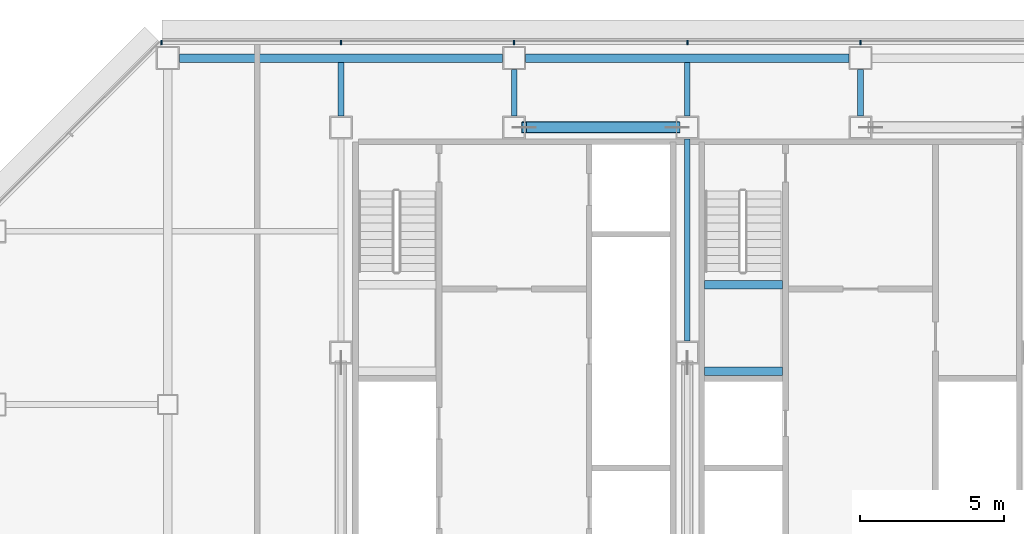
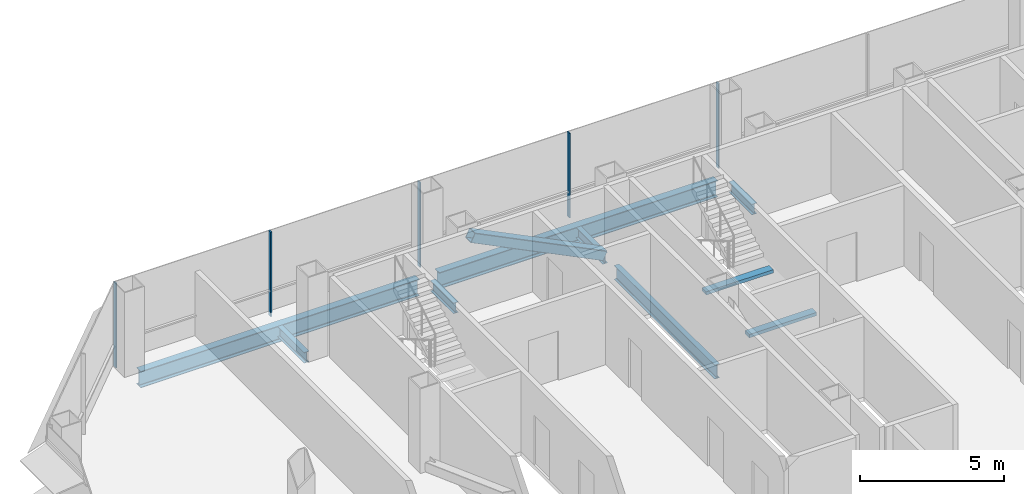
# One storey, part 12 of 25: 9 beams, 6 members, 1 element without a shape of its own.
"""IFC4 building model written with IfcOpenShell, lengths in metres."""

from ifc_helpers import new_model, si_unit, direction, frame, origin, origin_2d, place, context, subcontext, project, spatial, rectangle, hollow_rectangle, i_section, extrude, material, material_profile, profile_set, type_object, element, aggregate, save


model = new_model("IFC4")

# Units and contexts
model_context = context("Model", 3, precision=1e-05, world=origin(), true_north=direction((0.0, 1.0)))
body_context = subcontext(model_context, "Body", "Model", "MODEL_VIEW")
ifc_project = project(units=[si_unit("LENGTHUNIT", "METRE"), si_unit("AREAUNIT", "SQUARE_METRE"), si_unit("VOLUMEUNIT", "CUBIC_METRE"), si_unit("PLANEANGLEUNIT", "RADIAN"), si_unit("MASSUNIT", "GRAM", prefix="KILO")], contexts=[model_context])

# Site, building, storey
site_placement = place(None, origin())
site = spatial("IfcSite", under=ifc_project, at=site_placement, CompositionType="ELEMENT")
building_placement = place(site_placement, origin())
building = spatial("IfcBuilding", under=site, at=building_placement, Name="Sorahane Residences", CompositionType="ELEMENT")
storey_placement = place(building_placement, frame((0.0, 0.0, 107.0)))
storey = spatial("IfcBuildingStorey", under=building, at=storey_placement, Name="L23", CompositionType="ELEMENT", Elevation=107.0)

# Member
ifc_material_1 = material(Name="Steel Q355B", Category="steel")
ifc_material_profile_1 = material_profile(ifc_material_1, hollow_rectangle(XDim=0.39990234375, YDim=0.39990234375, WallThickness=0.02001953125, InnerFilletRadius=0.010009765625, OuterFilletRadius=0.030029296875, at=origin_2d()), Name="RHS 400x400x20")
ifc_profile_set_1 = profile_set([ifc_material_profile_1], Name="Steel Q355B")
member_type_1 = type_object("IfcMemberType", Name="Core brace RHS 400x400x20 Q355B", PredefinedType="BRACE", material=ifc_profile_set_1)
member_1_placement = place(storey_placement, frame((17.653076171875, 45.60009765625, 0.173828125), z_axis=(-0.896480070819, 0.0, 0.443084058192), x_axis=(0.0, -1.0, 0.0)))
element("IfcMember", 1, at=member_1_placement, inside=storey, type_object=member_type_1, Name="Core brace L23 y45.6-2", PredefinedType="BRACE", context=body_context, shape_type="SweptSolid", body=[
    extrude(hollow_rectangle(XDim=0.39990234375, YDim=0.39990234375, WallThickness=0.02001953125, InnerFilletRadius=0.010009765625, OuterFilletRadius=0.030029296875, at=origin_2d()), origin(), (0.0, 0.0, 1.0), 5.9189453125),
])

# Curtain wall, members
ifc_material_2 = material(Name="Dark low-e glass and black anodised aluminium", Category="aluminium")
curtain_wall_type = type_object("IfcCurtainWallType", Name="Curtain wall CW-1 Typical unitised wall", PredefinedType="NOTDEFINED", material=ifc_material_2)
curtain_wall_placement = place(storey_placement, origin())
curtain_wall = element("IfcCurtainWall", 2, at=curtain_wall_placement, inside=storey, type_object=curtain_wall_type, Name="CW-1 curtain wall L23 N1", PredefinedType="NOTDEFINED")
ifc_material_3 = material(Name="Black anodised aluminium", Category="aluminium")
ifc_material_profile_2 = material_profile(ifc_material_3, rectangle(XDim=0.159912109375, YDim=0.050048828125, at=origin_2d()), Name="Curtain wall mullion CW-1 black anodised aluminium 50x160")
ifc_profile_set_2 = profile_set([ifc_material_profile_2], Name="Black anodised aluminium")
member_type_2 = type_object("IfcMemberType", Name="Curtain wall mullion CW-1 black anodised aluminium 50x160", PredefinedType="MULLION", material=ifc_profile_set_2)
member_2_placement = place(storey_placement, frame((24.0, 48.5400390625, -0.179931640625), z_axis=(0.0, 0.0, 1.0), x_axis=(0.0, 1.0, 0.0)))
member_2 = element("IfcMember", 3, at=member_2_placement, type_object=member_type_2, Name="CW-1 mullion L23 N1.6", PredefinedType="MULLION", context=body_context, shape_type="SweptSolid", body=[
    extrude(rectangle(XDim=0.159912109375, YDim=0.050048828125, at=origin_2d()), origin(), (0.0, 0.0, 1.0), 3.599853515625),
])
member_3_placement = place(storey_placement, frame((18.0, 48.5400390625, -0.179931640625), z_axis=(0.0, 0.0, 1.0), x_axis=(0.0, 1.0, 0.0)))
member_3 = element("IfcMember", 4, at=member_3_placement, type_object=member_type_2, Name="CW-1 mullion L23 N1.7", PredefinedType="MULLION", context=body_context, shape_type="SweptSolid", body=[
    extrude(rectangle(XDim=0.159912109375, YDim=0.050048828125, at=origin_2d()), origin(), (0.0, 0.0, 1.0), 3.599853515625),
])
member_4_placement = place(storey_placement, frame((12.0, 48.5400390625, -0.179931640625), z_axis=(0.0, 0.0, 1.0), x_axis=(0.0, 1.0, 0.0)))
member_4 = element("IfcMember", 5, at=member_4_placement, type_object=member_type_2, Name="CW-1 mullion L23 N1.8", PredefinedType="MULLION", context=body_context, shape_type="SweptSolid", body=[
    extrude(rectangle(XDim=0.159912109375, YDim=0.050048828125, at=origin_2d()), origin(), (0.0, 0.0, 1.0), 3.599853515625),
])
member_5_placement = place(storey_placement, frame((6.0, 48.5400390625, -0.179931640625), z_axis=(0.0, 0.0, 1.0), x_axis=(0.0, 1.0, 0.0)))
member_5 = element("IfcMember", 6, at=member_5_placement, type_object=member_type_2, Name="CW-1 mullion L23 N1.9", PredefinedType="MULLION", context=body_context, shape_type="SweptSolid", body=[
    extrude(rectangle(XDim=0.159912109375, YDim=0.050048828125, at=origin_2d()), origin(), (0.0, 0.0, 1.0), 3.599853515625),
])
member_6_placement = place(storey_placement, frame((-0.2236328125, 48.5400390625, -0.179931640625), z_axis=(0.0, 0.0, 1.0), x_axis=(0.0, 1.0, 0.0)))
member_6 = element("IfcMember", 7, at=member_6_placement, type_object=member_type_2, Name="CW-1 mullion L23 N1.10", PredefinedType="MULLION", context=body_context, shape_type="SweptSolid", body=[
    extrude(rectangle(XDim=0.159912109375, YDim=0.050048828125, at=origin_2d()), origin(), (0.0, 0.0, 1.0), 3.599853515625),
])
aggregate(curtain_wall, [member_2, member_3, member_4, member_5, member_6])

# Beams
ifc_material_4 = material(Name="Concrete C40", Category="concrete")
ifc_material_profile_3 = material_profile(ifc_material_4, rectangle(XDim=0.300048828125, YDim=0.139892578125, at=origin_2d()), Name="300x140")
ifc_profile_set_3 = profile_set([ifc_material_profile_3], Name="Concrete C40")
beam_type_1 = type_object("IfcBeamType", Name="RC landing beam 300 x 140 Concrete C40", PredefinedType="BEAM", material=ifc_profile_set_3)
for number, where, z_axis, x_axis, name in (
    (8, (18.60009765625, 37.14990234375, 1.530029296875), (1.0, 0.0, 0.0), (0.0, 1.0, 0.0), "Landing beam"),
    (9, (18.60009765625, 40.14990234375, 1.530029296875), (1.0, 0.0, 0.0), (0.0, 1.0, 0.0), "Landing beam"),
):
    element("IfcBeam", number, at=place(storey_placement, frame(where, z_axis=z_axis, x_axis=x_axis)), inside=storey, type_object=beam_type_1, Name=name, PredefinedType="BEAM", context=body_context, shape_type="SweptSolid", body=[
        extrude(rectangle(XDim=0.300048828125, YDim=0.139892578125, at=origin_2d()), origin(), (0.0, 0.0, 1.0), 2.699951171875),
    ])
ifc_material_5 = material(Name="Steel Q355B", Category="steel")
ifc_material_profile_4 = material_profile(ifc_material_5, i_section(OverallWidth=0.199951171875, OverallDepth=0.449951171875, WebThickness=0.009033203125, FlangeThickness=0.013916015625, FilletRadius=0.02001953125, at=origin_2d()), Name="HN 450x200x9x14")
ifc_profile_set_4 = profile_set([ifc_material_profile_4], Name="Steel Q355B")
beam_type_2 = type_object("IfcBeamType", Name="Steel floor beam HN 450x200x9x14 Q355B", PredefinedType="BEAM", material=ifc_profile_set_4)
beam_1_placement = place(storey_placement, frame((6.0, 46.0, -0.405029296875), z_axis=(0.0, 1.0, 0.0), x_axis=(-1.0, 0.0, 0.0)))
element("IfcBeam", 10, at=beam_1_placement, inside=storey, type_object=beam_type_2, Name="Beam L23 033", PredefinedType="BEAM", context=body_context, shape_type="SweptSolid", body=[
    extrude(i_section(OverallWidth=0.199951171875, OverallDepth=0.449951171875, WebThickness=0.009033203125, FlangeThickness=0.013916015625, FilletRadius=0.02001953125, at=origin_2d()), origin(), (0.0, 0.0, 1.0), 1.85009765625),
])
beam_2_placement = place(storey_placement, frame((12.0, 46.0, -0.405029296875), z_axis=(0.0, 1.0, 0.0), x_axis=(-1.0, 0.0, 0.0)))
element("IfcBeam", 11, at=beam_2_placement, inside=storey, type_object=beam_type_2, Name="Beam L23 035", PredefinedType="BEAM", context=body_context, shape_type="SweptSolid", body=[
    extrude(i_section(OverallWidth=0.199951171875, OverallDepth=0.449951171875, WebThickness=0.009033203125, FlangeThickness=0.013916015625, FilletRadius=0.02001953125, at=origin_2d()), origin(), (0.0, 0.0, 1.0), 1.60009765625),
])
beam_3_placement = place(storey_placement, frame((18.0, 46.0, -0.405029296875), z_axis=(0.0, 1.0, 0.0), x_axis=(-1.0, 0.0, 0.0)))
element("IfcBeam", 12, at=beam_3_placement, inside=storey, type_object=beam_type_2, Name="Beam L23 041", PredefinedType="BEAM", context=body_context, shape_type="SweptSolid", body=[
    extrude(i_section(OverallWidth=0.199951171875, OverallDepth=0.449951171875, WebThickness=0.009033203125, FlangeThickness=0.013916015625, FilletRadius=0.02001953125, at=origin_2d()), origin(), (0.0, 0.0, 1.0), 1.85009765625),
])
beam_4_placement = place(storey_placement, frame((24.0, 46.0, -0.405029296875), z_axis=(0.0, 1.0, 0.0), x_axis=(-1.0, 0.0, 0.0)))
element("IfcBeam", 13, at=beam_4_placement, inside=storey, type_object=beam_type_2, Name="Beam L23 043", PredefinedType="BEAM", context=body_context, shape_type="SweptSolid", body=[
    extrude(i_section(OverallWidth=0.199951171875, OverallDepth=0.449951171875, WebThickness=0.009033203125, FlangeThickness=0.013916015625, FilletRadius=0.02001953125, at=origin_2d()), origin(), (0.0, 0.0, 1.0), 1.60009765625),
])
ifc_material_6 = material(Name="Steel Q355B", Category="steel")
ifc_material_profile_5 = material_profile(ifc_material_6, i_section(OverallWidth=0.199951171875, OverallDepth=0.60009765625, WebThickness=0.010986328125, FlangeThickness=0.01708984375, FilletRadius=0.02392578125, at=origin_2d()), Name="HN 600x200x11x17")
ifc_profile_set_5 = profile_set([ifc_material_profile_5], Name="Steel Q355B")
beam_type_3 = type_object("IfcBeamType", Name="Steel floor beam HN 600x200x11x17 Q355B", PredefinedType="BEAM", material=ifc_profile_set_5)
beam_5_placement = place(storey_placement, frame((18.0, 38.199951171875, -0.47998046875), z_axis=(0.0, 1.0, 0.0), x_axis=(-1.0, 0.0, 0.0)))
element("IfcBeam", 14, at=beam_5_placement, inside=storey, type_object=beam_type_3, Name="Beam L23 040", PredefinedType="BEAM", context=body_context, shape_type="SweptSolid", body=[
    extrude(i_section(OverallWidth=0.199951171875, OverallDepth=0.60009765625, WebThickness=0.010986328125, FlangeThickness=0.01708984375, FilletRadius=0.02392578125, at=origin_2d()), origin(), (0.0, 0.0, 1.0), 7.0),
])
ifc_material_7 = material(Name="Steel Q355B", Category="steel")
ifc_material_profile_6 = material_profile(ifc_material_7, i_section(OverallWidth=0.300048828125, OverallDepth=0.699951171875, WebThickness=0.012939453125, FlangeThickness=0.02392578125, FilletRadius=0.028076171875, at=origin_2d()), Name="HN 700x300x13x24")
ifc_profile_set_6 = profile_set([ifc_material_profile_6], Name="Steel Q355B")
beam_type_4 = type_object("IfcBeamType", Name="Steel floor beam HN 700x300x13x24 Q355B", PredefinedType="BEAM", material=ifc_profile_set_6)
for number, where, z_axis, x_axis, name in (
    (15, (0.39990234375, 48.0, -0.530029296875), (1.0, 0.0, 0.0), (0.0, 1.0, 0.0), "Beam L23 015"),
    (16, (12.39990234375, 48.0, -0.530029296875), (1.0, 0.0, 0.0), (0.0, 1.0, 0.0), "Beam L23 016"),
):
    element("IfcBeam", number, at=place(storey_placement, frame(where, z_axis=z_axis, x_axis=x_axis)), inside=storey, type_object=beam_type_4, Name=name, PredefinedType="BEAM", context=body_context, shape_type="SweptSolid", body=[
        extrude(i_section(OverallWidth=0.300048828125, OverallDepth=0.699951171875, WebThickness=0.012939453125, FlangeThickness=0.02392578125, FilletRadius=0.028076171875, at=origin_2d()), origin(), (0.0, 0.0, 1.0), 11.2001953125),
    ])

save(model, "model.ifc")
